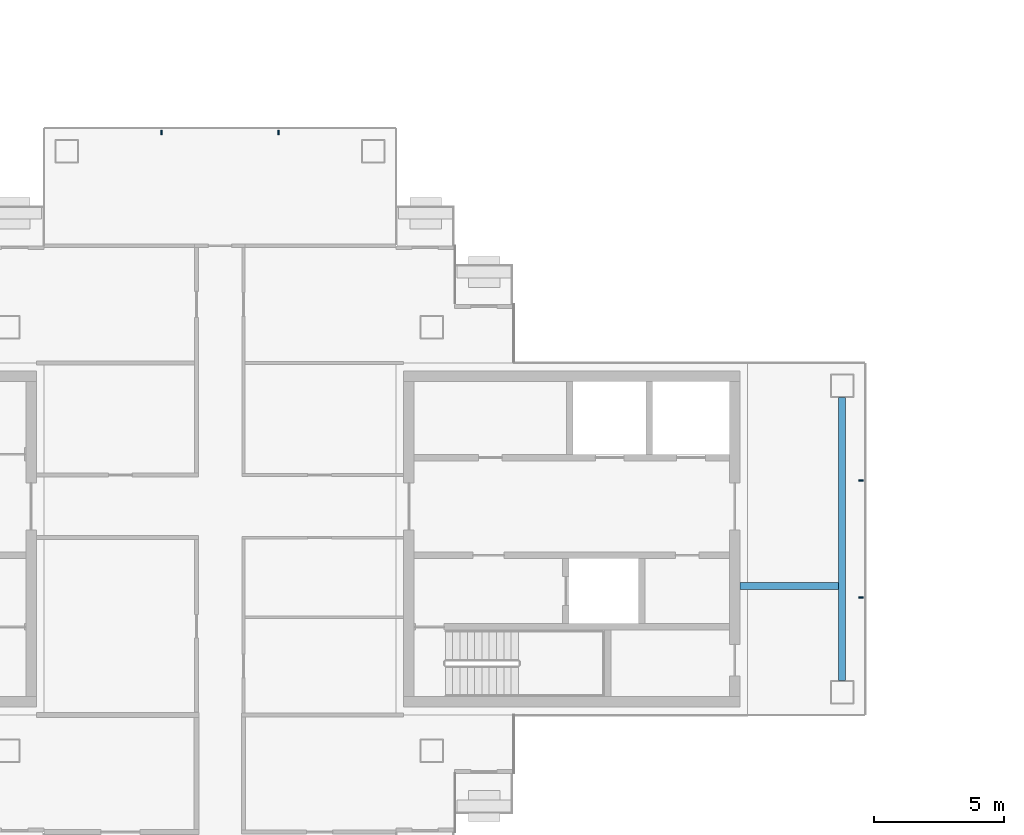
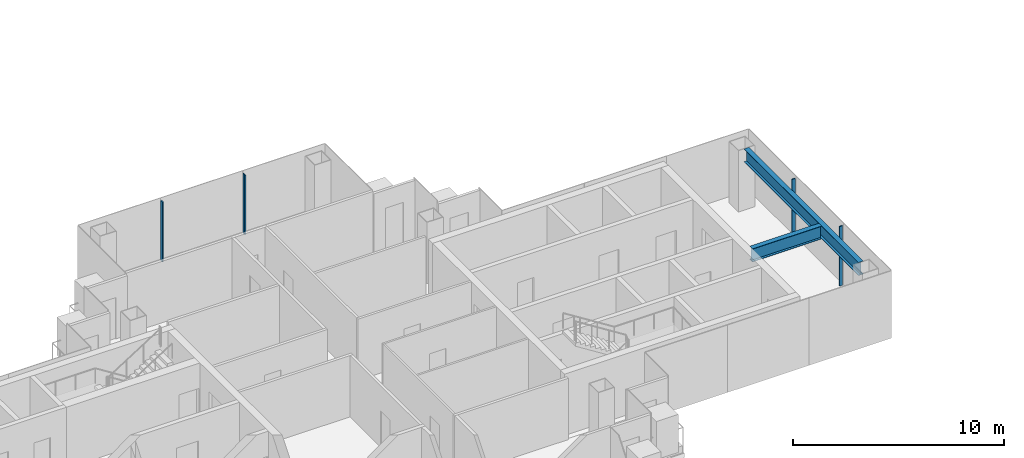
# One storey, part 4 of 16: 4 members, 2 beams, 2 elements without a shape of their own.
"""IFC4 building model written with IfcOpenShell, lengths in metres."""

from ifc_helpers import new_model, si_unit, direction, frame, origin, origin_2d, place, context, subcontext, project, spatial, rectangle, i_section, extrude, material, layer, layer_set, material_profile, profile_set, type_object, element, aggregate, save


model = new_model("IFC4")

# Units and contexts
model_context = context("Model", 3, precision=1e-05, world=origin(), true_north=direction((0.0, 1.0)))
body_context = subcontext(model_context, "Body", "Model", "MODEL_VIEW")
ifc_project = project(units=[si_unit("LENGTHUNIT", "METRE"), si_unit("AREAUNIT", "SQUARE_METRE"), si_unit("VOLUMEUNIT", "CUBIC_METRE"), si_unit("PLANEANGLEUNIT", "RADIAN"), si_unit("MASSUNIT", "GRAM", prefix="KILO")], contexts=[model_context])

# Site, building, storey
site_placement = place(None, origin())
site = spatial("IfcSite", under=ifc_project, at=site_placement, CompositionType="ELEMENT")
building_placement = place(site_placement, origin())
building = spatial("IfcBuilding", under=site, at=building_placement, Name="Shamsa Quay Exchange Towers", CompositionType="ELEMENT")
storey_placement = place(building_placement, frame((0.0, 0.0, 265.5)))
storey = spatial("IfcBuildingStorey", under=building, at=storey_placement, Name="L64", CompositionType="ELEMENT", Elevation=265.5)

# Curtain wall, members
ifc_material_1 = material(Name="Aluminium EN AW-6063 T6, black anodised", Category="aluminium")
ifc_layer = layer(ifc_material_1, 0.280029296875)
ifc_layer_set = layer_set([ifc_layer], Name="CW-1 UNITISED VISION GLASS")
curtain_wall_type = type_object("IfcCurtainWallType", Name="CW-1 UNITISED VISION GLASS", PredefinedType="NOTDEFINED", material=ifc_layer_set)
curtain_wall_1_placement = place(storey_placement, origin())
curtain_wall_1 = element("IfcCurtainWall", 1, at=curtain_wall_1_placement, inside=storey, type_object=curtain_wall_type, Name="CW1 T1-END-U+ L64", PredefinedType="NOTDEFINED")
ifc_material_profile_1 = material_profile(ifc_material_1, rectangle(XDim=0.179931640625, YDim=0.06005859375, at=origin_2d()), Name="MU60x180")
ifc_profile_set_1 = profile_set([ifc_material_profile_1], Name="Aluminium EN AW-6063 T6, black anodised")
member_type = type_object("IfcMemberType", Name="CW1 MULLION 60x180", PredefinedType="MULLION", material=ifc_profile_set_1)
member_1_placement = place(storey_placement, frame((-9.14990234375, -2.25, 0.0), z_axis=(0.0, 0.0, 1.0), x_axis=(-1.0, 0.0, 0.0)))
member_1 = element("IfcMember", 2, at=member_1_placement, type_object=member_type, Name="CW1 mullion", PredefinedType="MULLION", context=body_context, shape_type="SweptSolid", body=[
    extrude(rectangle(XDim=0.179931640625, YDim=0.06005859375, at=origin_2d()), origin(), (0.0, 0.0, 1.0), 3.449951171875),
])
member_2_placement = place(storey_placement, frame((-9.14990234375, 2.25, 0.0), z_axis=(0.0, 0.0, 1.0), x_axis=(-1.0, 0.0, 0.0)))
member_2 = element("IfcMember", 3, at=member_2_placement, type_object=member_type, Name="CW1 mullion", PredefinedType="MULLION", context=body_context, shape_type="SweptSolid", body=[
    extrude(rectangle(XDim=0.179931640625, YDim=0.06005859375, at=origin_2d()), origin(), (0.0, 0.0, 1.0), 3.449951171875),
])
aggregate(curtain_wall_1, [member_1, member_2])

curtain_wall_2_placement = place(storey_placement, origin())
curtain_wall_2 = element("IfcCurtainWall", 4, at=curtain_wall_2_placement, inside=storey, type_object=curtain_wall_type, Name="CW1 T1-END-V+ L64", PredefinedType="NOTDEFINED")
member_3_placement = place(storey_placement, frame((-31.5, 15.60009765625, 0.0), z_axis=(0.0, 0.0, 1.0), x_axis=(0.0, -1.0, 0.0)))
member_3 = element("IfcMember", 5, at=member_3_placement, type_object=member_type, Name="CW1 mullion", PredefinedType="MULLION", context=body_context, shape_type="SweptSolid", body=[
    extrude(rectangle(XDim=0.179931640625, YDim=0.06005859375, at=origin_2d()), origin(), (0.0, 0.0, 1.0), 3.449951171875),
])
member_4_placement = place(storey_placement, frame((-36.0, 15.60009765625, 0.0), z_axis=(0.0, 0.0, 1.0), x_axis=(0.0, -1.0, 0.0)))
member_4 = element("IfcMember", 6, at=member_4_placement, type_object=member_type, Name="CW1 mullion", PredefinedType="MULLION", context=body_context, shape_type="SweptSolid", body=[
    extrude(rectangle(XDim=0.179931640625, YDim=0.06005859375, at=origin_2d()), origin(), (0.0, 0.0, 1.0), 3.449951171875),
])
aggregate(curtain_wall_2, [member_3, member_4])

# Beams
ifc_material_2 = material(Name="Steel S355", Category="steel")
ifc_material_profile_2 = material_profile(ifc_material_2, i_section(OverallWidth=0.26611328125, OverallDepth=0.7578125, WebThickness=0.013916015625, FlangeThickness=0.019287109375, at=origin_2d()), Name="W30x108")
ifc_profile_set_2 = profile_set([ifc_material_profile_2], Name="Steel S355")
beam_type = type_object("IfcBeamType", Name="End-zone beam W30x108", PredefinedType="BEAM", material=ifc_profile_set_2)
beam_1_placement = place(storey_placement, frame((-9.875, -5.425048828125, 3.171142578125), z_axis=(0.0, 1.0, 0.0), x_axis=(-1.0, 0.0, 0.0)))
element("IfcBeam", 7, at=beam_1_placement, inside=storey, type_object=beam_type, Name="End beam T1 U+ end zone L64", PredefinedType="BEAM", context=body_context, shape_type="SweptSolid", body=[
    extrude(i_section(OverallWidth=0.26611328125, OverallDepth=0.7578125, WebThickness=0.013916015625, FlangeThickness=0.019287109375, at=origin_2d()), origin(), (0.0, 0.0, 1.0), 10.85009765625),
])
beam_2_placement = place(storey_placement, frame((-13.800048828125, -1.800048828125, 3.171142578125), z_axis=(1.0, 0.0, 0.0), x_axis=(0.0, 1.0, 0.0)))
element("IfcBeam", 8, at=beam_2_placement, inside=storey, type_object=beam_type, Name="Spine beam T1 U+ end zone L64", PredefinedType="BEAM", context=body_context, shape_type="SweptSolid", body=[
    extrude(i_section(OverallWidth=0.26611328125, OverallDepth=0.7578125, WebThickness=0.013916015625, FlangeThickness=0.019287109375, at=origin_2d()), origin(), (0.0, 0.0, 1.0), 3.7919921875),
])

save(model, "model.ifc")
